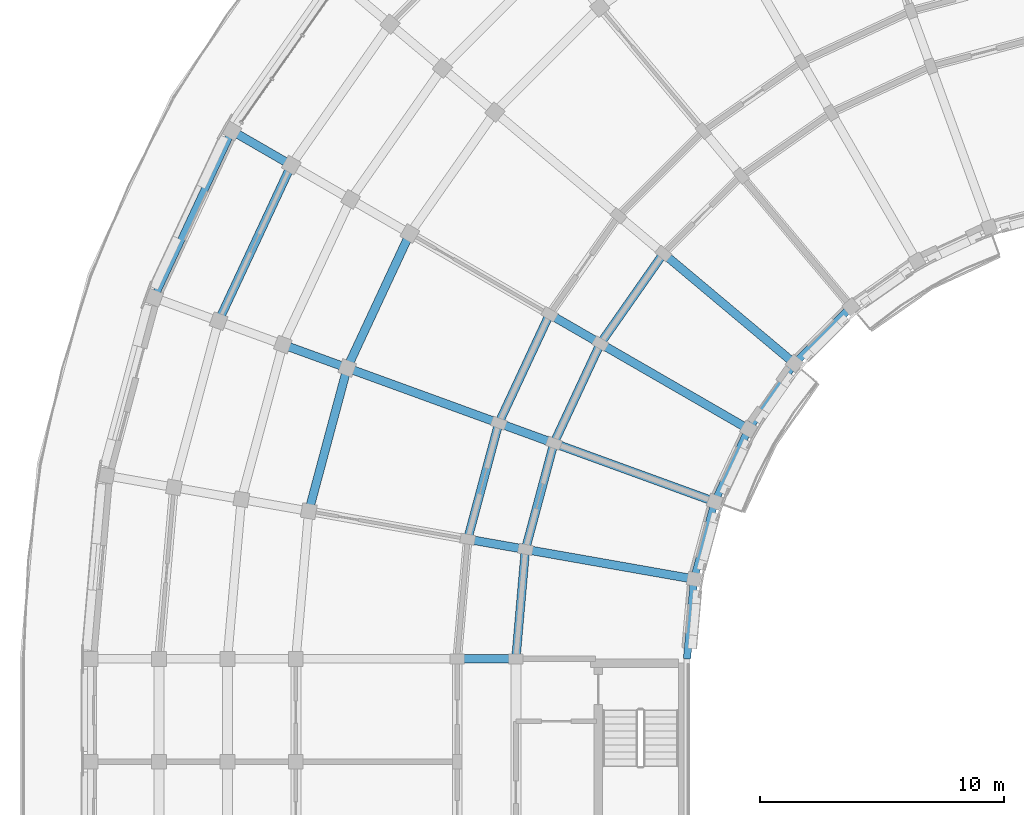
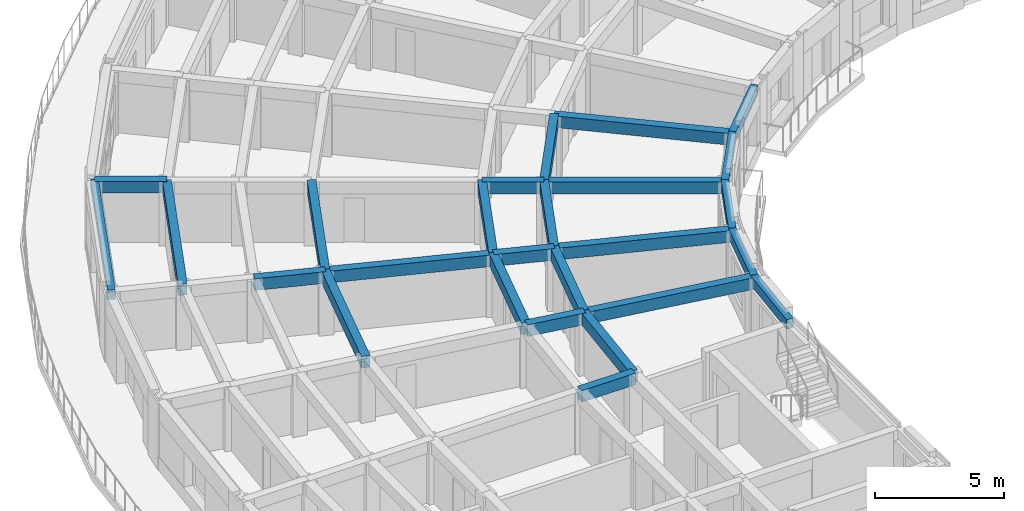
# One storey, part 3 of 32: 26 beams.
"""IFC4 building model written with IfcOpenShell, lengths in metres."""

from ifc_helpers import new_model, si_unit, direction, frame, origin, origin_2d, place, context, subcontext, project, spatial, rectangle, extrude, material, material_profile, profile_set, type_object, element, save


model = new_model("IFC4")

# Units and contexts
model_context = context("Model", 3, precision=1e-05, world=origin(), true_north=direction((0.0, 1.0)))
body_context = subcontext(model_context, "Body", "Model", "MODEL_VIEW")
ifc_project = project(units=[si_unit("LENGTHUNIT", "METRE"), si_unit("AREAUNIT", "SQUARE_METRE"), si_unit("VOLUMEUNIT", "CUBIC_METRE"), si_unit("PLANEANGLEUNIT", "RADIAN"), si_unit("MASSUNIT", "GRAM", prefix="KILO")], contexts=[model_context])

# Site, building, storey
site_placement = place(None, origin())
site = spatial("IfcSite", under=ifc_project, at=site_placement, CompositionType="ELEMENT")
building_placement = place(site_placement, origin())
building = spatial("IfcBuilding", under=site, at=building_placement, Name="Kiranvali Square Residences", CompositionType="ELEMENT")
storey_placement = place(building_placement, frame((0.0, 0.0, 40.199951171875)))
storey = spatial("IfcBuildingStorey", under=building, at=storey_placement, Name="L12", CompositionType="ELEMENT", Elevation=40.199951171875)

# Beams
ifc_material = material(Name="Concrete M40 (40 MPa)", Category="concrete")
ifc_material_profile_1 = material_profile(ifc_material, rectangle(XDim=0.35009765625, YDim=0.550048828125, at=origin_2d()), Name="RC 350x550")
ifc_profile_set_1 = profile_set([ifc_material_profile_1], Name="Concrete M40 (40 MPa)")
beam_type_1 = type_object("IfcBeamType", Name="BM-M40-350x550", PredefinedType="BEAM", material=ifc_profile_set_1)
for number, where, z_axis, x_axis, name in (
    (1, (28.43603515625, 104.384033203125, 2.655029296875), (-0.573571637217, -0.819155404658, 0.0), (0.819155404658, -0.573571637217, 0.0), "L12 beam BM-A-L12-C05-R1"),
    (2, (25.8564453125, 100.699951171875, 2.655029296875), (-0.422617978463, -0.906307919131, 0.0), (0.906307919131, -0.422617978463, 0.0), "L12 beam BM-A-L12-C06-R1"),
):
    element("IfcBeam", number, at=place(storey_placement, frame(where, z_axis=z_axis, x_axis=x_axis)), inside=storey, type_object=beam_type_1, Name=name, PredefinedType="BEAM", context=body_context, shape_type="SweptSolid", body=[
        extrude(rectangle(XDim=0.35009765625, YDim=0.550048828125, at=origin_2d()), origin(), (0.0, 0.0, 1.0), 4.497314453125),
    ])
beam_1_placement = place(storey_placement, frame((23.778076171875, 101.89990234375, 2.655029296875), z_axis=(-0.422629854778, -0.906302381024, 0.0), x_axis=(0.906302381024, -0.422629854778, 0.0)))
element("IfcBeam", 3, at=beam_1_placement, inside=storey, type_object=beam_type_1, Name="L12 beam BM-A-L12-C06-R2", PredefinedType="BEAM", context=body_context, shape_type="SweptSolid", body=[
    extrude(rectangle(XDim=0.35009765625, YDim=0.550048828125, at=origin_2d()), origin(), (0.0, 0.0, 1.0), 4.915283203125),
])
beam_2_placement = place(storey_placement, frame((18.062255859375, 105.199951171875, 2.655029296875), z_axis=(-0.42260781991, -0.906312656069, 0.0), x_axis=(0.906312656069, -0.42260781991, 0.0)))
element("IfcBeam", 4, at=beam_2_placement, inside=storey, type_object=beam_type_1, Name="L12 beam BM-A-L12-C06-R3", PredefinedType="BEAM", context=body_context, shape_type="SweptSolid", body=[
    extrude(rectangle(XDim=0.35009765625, YDim=0.550048828125, at=origin_2d()), origin(), (0.0, 0.0, 1.0), 6.06591796875),
])
beam_3_placement = place(storey_placement, frame((13.212646484375, 108.0, 2.655029296875), z_axis=(-0.422640621205, -0.906297360311, 0.0), x_axis=(0.906297360311, -0.422640621205, 0.0)))
element("IfcBeam", 5, at=beam_3_placement, inside=storey, type_object=beam_type_1, Name="L12 beam BM-A-L12-C06-R5", PredefinedType="BEAM", context=body_context, shape_type="SweptSolid", body=[
    extrude(rectangle(XDim=0.35009765625, YDim=0.550048828125, at=origin_2d()), origin(), (0.0, 0.0, 1.0), 7.042236328125),
])
beam_4_placement = place(storey_placement, frame((23.955810546875, 96.6240234375, 2.655029296875), z_axis=(-0.258787642463, -0.965934240054, 0.0), x_axis=(0.965934240054, -0.258787642463, 0.0)))
element("IfcBeam", 6, at=beam_4_placement, inside=storey, type_object=beam_type_1, Name="L12 beam BM-A-L12-C07-R1", PredefinedType="BEAM", context=body_context, shape_type="SweptSolid", body=[
    extrude(rectangle(XDim=0.35009765625, YDim=0.550048828125, at=origin_2d()), origin(), (0.0, 0.0, 1.0), 4.497314453125),
])
beam_5_placement = place(storey_placement, frame((21.70068359375, 97.445068359375, 2.655029296875), z_axis=(-0.258803112091, -0.965930095386, 0.0), x_axis=(0.965930095386, -0.258803112091, 0.0)))
element("IfcBeam", 7, at=beam_5_placement, inside=storey, type_object=beam_type_1, Name="L12 beam BM-A-L12-C07-R2", PredefinedType="BEAM", context=body_context, shape_type="SweptSolid", body=[
    extrude(rectangle(XDim=0.35009765625, YDim=0.550048828125, at=origin_2d()), origin(), (0.0, 0.0, 1.0), 4.915771484375),
])
beam_6_placement = place(storey_placement, frame((15.498779296875, 99.702392578125, 2.655029296875), z_axis=(-0.258827283048, -0.965923618901, 0.0), x_axis=(0.965923618901, -0.258827283048, 0.0)))
element("IfcBeam", 8, at=beam_6_placement, inside=storey, type_object=beam_type_1, Name="L12 beam BM-A-L12-C07-R3", PredefinedType="BEAM", context=body_context, shape_type="SweptSolid", body=[
    extrude(rectangle(XDim=0.35009765625, YDim=0.550048828125, at=origin_2d()), origin(), (0.0, 0.0, 1.0), 6.066162109375),
])
beam_7_placement = place(storey_placement, frame((22.7919921875, 92.280029296875, 2.655029296875), z_axis=(-0.087187153726, -0.996191949488, 0.0), x_axis=(0.996191949488, -0.087187153726, 0.0)))
element("IfcBeam", 9, at=beam_7_placement, inside=storey, type_object=beam_type_1, Name="L12 beam BM-A-L12-C08-R1", PredefinedType="BEAM", context=body_context, shape_type="SweptSolid", body=[
    extrude(rectangle(XDim=0.35009765625, YDim=0.550048828125, at=origin_2d()), origin(), (0.0, 0.0, 1.0), 4.4970703125),
])
for number, where, z_axis, x_axis, name in (
    (10, (33.79833984375, 99.884521484375, 2.655029296875), (-0.766044173478, 0.642787931032, 0.0), (-0.642787931032, -0.766044173478, 0.0), "L12 beam BM-A-L12-RAD05-01"),
    (11, (31.918701171875, 97.199951171875, 2.655029296875), (-0.866028190633, 0.499995173006, 0.0), (-0.499995173006, -0.866028190633, 0.0), "L12 beam BM-A-L12-RAD06-01"),
):
    element("IfcBeam", number, at=place(storey_placement, frame(where, z_axis=z_axis, x_axis=x_axis)), inside=storey, type_object=beam_type_1, Name=name, PredefinedType="BEAM", context=body_context, shape_type="SweptSolid", body=[
        extrude(rectangle(XDim=0.35009765625, YDim=0.550048828125, at=origin_2d()), origin(), (0.0, 0.0, 1.0), 7.0),
    ])
beam_8_placement = place(storey_placement, frame((25.8564453125, 100.699951171875, 2.655029296875), z_axis=(-0.866024647952, 0.500001309137, 0.0), x_axis=(-0.500001309137, -0.866024647952, 0.0)))
element("IfcBeam", 12, at=beam_8_placement, inside=storey, type_object=beam_type_1, Name="L12 beam BM-A-L12-RAD06-12", PredefinedType="BEAM", context=body_context, shape_type="SweptSolid", body=[
    extrude(rectangle(XDim=0.35009765625, YDim=0.550048828125, at=origin_2d()), origin(), (0.0, 0.0, 1.0), 2.39990234375),
])
beam_9_placement = place(storey_placement, frame((13.212646484375, 108.0, 2.695068359375), z_axis=(-0.866056369097, 0.49994636267, 0.0), x_axis=(-0.49994636267, -0.866056369097, 0.0)))
element("IfcBeam", 13, at=beam_9_placement, inside=storey, type_object=beam_type_1, Name="L12 beam BM-A-L12-RAD06-56", PredefinedType="BEAM", context=body_context, shape_type="SweptSolid", body=[
    extrude(rectangle(XDim=0.35009765625, YDim=0.550048828125, at=origin_2d()), origin(), (0.0, 0.0, 1.0), 2.800048828125),
])
beam_10_placement = place(storey_placement, frame((30.53369140625, 94.22998046875, 2.655029296875), z_axis=(-0.939697665127, 0.342006283793, 0.0), x_axis=(-0.342006283793, -0.939697665127, 0.0)))
element("IfcBeam", 14, at=beam_10_placement, inside=storey, type_object=beam_type_1, Name="L12 beam BM-A-L12-RAD07-01", PredefinedType="BEAM", context=body_context, shape_type="SweptSolid", body=[
    extrude(rectangle(XDim=0.35009765625, YDim=0.550048828125, at=origin_2d()), origin(), (0.0, 0.0, 1.0), 7.0),
])
beam_11_placement = place(storey_placement, frame((23.955810546875, 96.6240234375, 2.655029296875), z_axis=(-0.939659694648, 0.342110593602, 0.0), x_axis=(-0.342110593602, -0.939659694648, 0.0)))
element("IfcBeam", 15, at=beam_11_placement, inside=storey, type_object=beam_type_1, Name="L12 beam BM-A-L12-RAD07-12", PredefinedType="BEAM", context=body_context, shape_type="SweptSolid", body=[
    extrude(rectangle(XDim=0.35009765625, YDim=0.550048828125, at=origin_2d()), origin(), (0.0, 0.0, 1.0), 2.39990234375),
])
beam_12_placement = place(storey_placement, frame((21.70068359375, 97.445068359375, 2.655029296875), z_axis=(-0.939691858249, 0.342022238372, 0.0), x_axis=(-0.342022238372, -0.939691858249, 0.0)))
element("IfcBeam", 16, at=beam_12_placement, inside=storey, type_object=beam_type_1, Name="L12 beam BM-A-L12-RAD07-23", PredefinedType="BEAM", context=body_context, shape_type="SweptSolid", body=[
    extrude(rectangle(XDim=0.35009765625, YDim=0.550048828125, at=origin_2d()), origin(), (0.0, 0.0, 1.0), 6.599853515625),
])
beam_13_placement = place(storey_placement, frame((15.498779296875, 99.702392578125, 2.655029296875), z_axis=(-0.93970683422, 0.341981089711, 0.0), x_axis=(-0.341981089711, -0.93970683422, 0.0)))
element("IfcBeam", 17, at=beam_13_placement, inside=storey, type_object=beam_type_1, Name="L12 beam BM-A-L12-RAD07-34", PredefinedType="BEAM", context=body_context, shape_type="SweptSolid", body=[
    extrude(rectangle(XDim=0.35009765625, YDim=0.550048828125, at=origin_2d()), origin(), (0.0, 0.0, 1.0), 2.7998046875),
])
beam_14_placement = place(storey_placement, frame((29.685546875, 91.064697265625, 2.655029296875), z_axis=(-0.984812337125, 0.173622177865, 0.0), x_axis=(-0.173622177865, -0.984812337125, 0.0)))
element("IfcBeam", 18, at=beam_14_placement, inside=storey, type_object=beam_type_1, Name="L12 beam BM-A-L12-RAD08-01", PredefinedType="BEAM", context=body_context, shape_type="SweptSolid", body=[
    extrude(rectangle(XDim=0.35009765625, YDim=0.550048828125, at=origin_2d()), origin(), (0.0, 0.0, 1.0), 6.999755859375),
])
for number, where, z_axis, x_axis, name in (
    (19, (22.7919921875, 92.280029296875, 2.655029296875), (-0.984808127031, 0.173646056486, 0.0), (-0.173646056486, -0.984808127031, 0.0), "L12 beam BM-A-L12-RAD08-12"),
    (20, (22.39990234375, 87.800048828125, 2.655029296875), (-1.0, 0.0, 0.0), (0.0, -1.0, 0.0), "L12 beam BM-A-L12-A2T0-12"),
):
    element("IfcBeam", number, at=place(storey_placement, frame(where, z_axis=z_axis, x_axis=x_axis)), inside=storey, type_object=beam_type_1, Name=name, PredefinedType="BEAM", context=body_context, shape_type="SweptSolid", body=[
        extrude(rectangle(XDim=0.35009765625, YDim=0.550048828125, at=origin_2d()), origin(), (0.0, 0.0, 1.0), 2.39990234375),
    ])
ifc_material_profile_2 = material_profile(ifc_material, rectangle(XDim=0.300048828125, YDim=0.449951171875, at=origin_2d()), Name="RC 300x450")
ifc_profile_set_2 = profile_set([ifc_material_profile_2], Name="Concrete M40 (40 MPa)")
beam_type_2 = type_object("IfcBeamType", Name="SPN-M40-300x450", PredefinedType="SPANDREL", material=ifc_profile_set_2)
beam_15_placement = place(storey_placement, frame((36.115478515625, 102.20166015625, 2.705078125), z_axis=(-0.707106781187, -0.707106781187, 0.0), x_axis=(0.707106781187, -0.707106781187, 0.0)))
element("IfcBeam", 21, at=beam_15_placement, inside=storey, type_object=beam_type_2, Name="L12 beam BM-A-L12-C04-R0", PredefinedType="SPANDREL", context=body_context, shape_type="SweptSolid", body=[
    extrude(rectangle(XDim=0.300048828125, YDim=0.449951171875, at=origin_2d()), origin(), (0.0, 0.0, 1.0), 3.27685546875),
])
for number, where, z_axis, x_axis, name in (
    (22, (33.79833984375, 99.884521484375, 2.705078125), (-0.573552337269, -0.81916891812, 0.0), (0.81916891812, -0.573552337269, 0.0), "L12 beam BM-A-L12-C05-R0"),
    (23, (31.918701171875, 97.199951171875, 2.705078125), (-0.422640740585, -0.90629730464, 0.0), (0.90629730464, -0.422640740585, 0.0), "L12 beam BM-A-L12-C06-R0"),
):
    element("IfcBeam", number, at=place(storey_placement, frame(where, z_axis=z_axis, x_axis=x_axis)), inside=storey, type_object=beam_type_2, Name=name, PredefinedType="SPANDREL", context=body_context, shape_type="SweptSolid", body=[
        extrude(rectangle(XDim=0.300048828125, YDim=0.449951171875, at=origin_2d()), origin(), (0.0, 0.0, 1.0), 3.277099609375),
    ])
beam_16_placement = place(storey_placement, frame((10.78759765625, 109.39990234375, 2.7451171875), z_axis=(-0.422613886933, -0.90630982703, 0.0), x_axis=(0.90630982703, -0.422613886933, 0.0)))
element("IfcBeam", 24, at=beam_16_placement, inside=storey, type_object=beam_type_2, Name="L12 beam BM-A-L12-C06-R6", PredefinedType="SPANDREL", context=body_context, shape_type="SweptSolid", body=[
    extrude(rectangle(XDim=0.300048828125, YDim=0.449951171875, at=origin_2d()), origin(), (0.0, 0.0, 1.0), 7.5302734375),
])
beam_17_placement = place(storey_placement, frame((30.53369140625, 94.22998046875, 2.705078125), z_axis=(-0.258821736607, -0.965925105099, 0.0), x_axis=(0.965925105099, -0.258821736607, 0.0)))
element("IfcBeam", 25, at=beam_17_placement, inside=storey, type_object=beam_type_2, Name="L12 beam BM-A-L12-C07-R0", PredefinedType="SPANDREL", context=body_context, shape_type="SweptSolid", body=[
    extrude(rectangle(XDim=0.300048828125, YDim=0.449951171875, at=origin_2d()), origin(), (0.0, 0.0, 1.0), 3.27685546875),
])
beam_18_placement = place(storey_placement, frame((29.685546875, 91.064697265625, 2.705078125), z_axis=(-0.087163253657, -0.996194040944, 0.0), x_axis=(0.996194040944, -0.087163253657, 0.0)))
element("IfcBeam", 26, at=beam_18_placement, inside=storey, type_object=beam_type_2, Name="L12 beam BM-A-L12-C08-R0", PredefinedType="SPANDREL", context=body_context, shape_type="SweptSolid", body=[
    extrude(rectangle(XDim=0.300048828125, YDim=0.449951171875, at=origin_2d()), origin(), (0.0, 0.0, 1.0), 3.277099609375),
])

save(model, "model.ifc")
